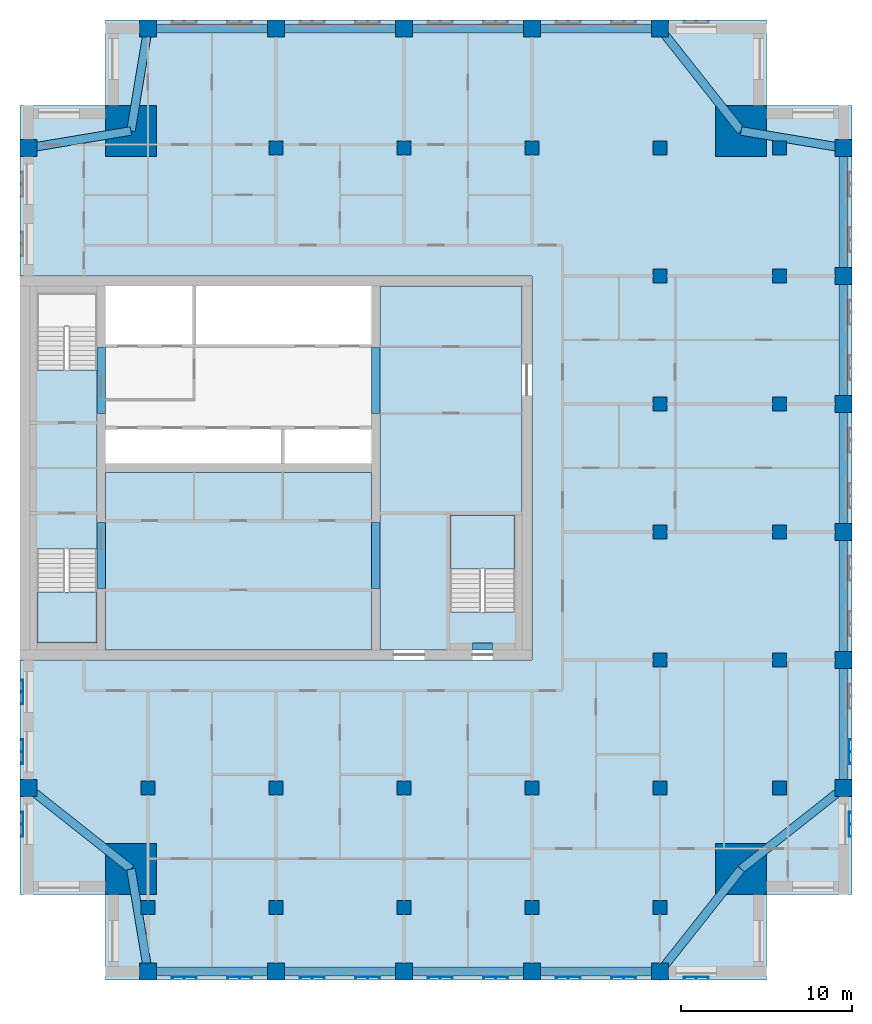
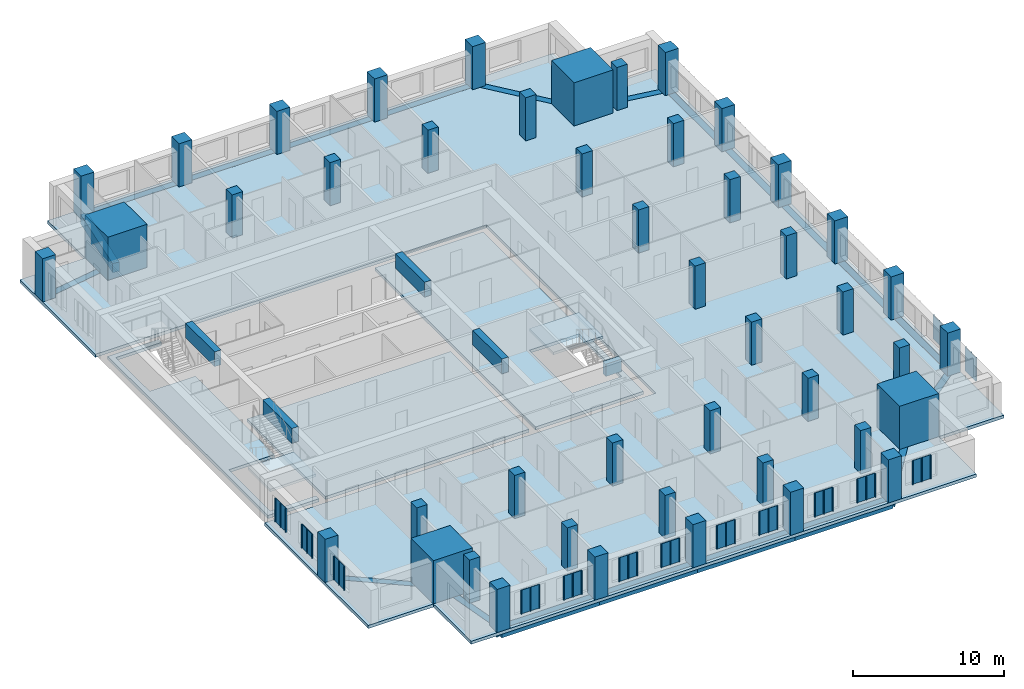
# One storey, part 1 of 11: 46 columns, 26 beams, 14 plates, 6 slabs, 2 elements without a shape of their own.
"""IFC4 building model written with IfcOpenShell, lengths in metres."""

from ifc_helpers import new_model, si_unit, direction, frame, origin, origin_2d, place, context, subcontext, project, spatial, polyline, rectangle, outline, extrude, material, layer, layer_set, material_profile, profile_set, type_object, element, aggregate, save


model = new_model("IFC4")

# Units and contexts
model_context = context("Model", 3, precision=1e-05, world=origin(), true_north=direction((0.0, 1.0)))
body_context = subcontext(model_context, "Body", "Model", "MODEL_VIEW")
ifc_project = project(units=[si_unit("LENGTHUNIT", "METRE"), si_unit("AREAUNIT", "SQUARE_METRE"), si_unit("VOLUMEUNIT", "CUBIC_METRE"), si_unit("PLANEANGLEUNIT", "RADIAN"), si_unit("MASSUNIT", "GRAM", prefix="KILO")], contexts=[model_context])

# Site, building, storey
site_placement = place(None, origin())
site = spatial("IfcSite", under=ifc_project, at=site_placement, CompositionType="ELEMENT")
building_placement = place(site_placement, origin())
building = spatial("IfcBuilding", under=site, at=building_placement, Name="Tamorin Gate", CompositionType="ELEMENT")
storey_placement = place(building_placement, frame((0.0, 0.0, 226.699951171875)))
storey = spatial("IfcBuildingStorey", under=building, at=storey_placement, Name="L56", CompositionType="ELEMENT", Elevation=226.699951171875)

# Columns
ifc_material_1 = material(Name="Concrete C50/60", Category="concrete")
ifc_material_profile_1 = material_profile(ifc_material_1, rectangle(XDim=1.0, YDim=1.0, at=origin_2d()), Name="RC 1000x1000")
ifc_profile_set_1 = profile_set([ifc_material_profile_1], Name="Concrete C50/60")
column_type_1 = type_object("IfcColumnType", Name="RC column 1000x1000 C50/60", PredefinedType="COLUMN", material=ifc_profile_set_1)
for number, where, z_axis, x_axis, name in (
    (1, (37.5, 41.75, 0.0), (0.0, 0.0, 1.0), (1.0, 0.0, 0.0), "Ring column L56"),
    (2, (45.0, 41.75, 0.0), (0.0, 0.0, 1.0), (1.0, 0.0, 0.0), "Ring column L56"),
    (3, (52.5, 41.75, 0.0), (0.0, 0.0, 1.0), (1.0, 0.0, 0.0), "Ring column L56"),
    (4, (60.0, 41.75, 0.0), (0.0, 0.0, 1.0), (1.0, 0.0, 0.0), "Ring column L56"),
    (5, (67.5, 41.75, 0.0), (0.0, 0.0, 1.0), (1.0, 0.0, 0.0), "Ring column L56"),
    (6, (78.25, 52.5, 0.0), (0.0, 0.0, 1.0), (1.0, 0.0, 0.0), "Ring column L56"),
    (7, (78.25, 60.0, 0.0), (0.0, 0.0, 1.0), (1.0, 0.0, 0.0), "Ring column L56"),
    (8, (78.25, 67.5, 0.0), (0.0, 0.0, 1.0), (1.0, 0.0, 0.0), "Ring column L56"),
    (9, (78.25, 75.0, 0.0), (0.0, 0.0, 1.0), (1.0, 0.0, 0.0), "Ring column L56"),
    (10, (78.25, 82.5, 0.0), (0.0, 0.0, 1.0), (1.0, 0.0, 0.0), "Ring column L56"),
    (11, (78.25, 90.0, 0.0), (0.0, 0.0, 1.0), (1.0, 0.0, 0.0), "Ring column L56"),
    (12, (30.5, 52.5, 0.0), (0.0, 0.0, 1.0), (1.0, 0.0, 0.0), "Ring column L56"),
    (13, (30.5, 90.0, 0.0), (0.0, 0.0, 1.0), (1.0, 0.0, 0.0), "Ring column L56"),
    (14, (37.5, 97.0, 0.0), (0.0, 0.0, 1.0), (1.0, 0.0, 0.0), "Ring column L56"),
    (15, (45.0, 97.0, 0.0), (0.0, 0.0, 1.0), (1.0, 0.0, 0.0), "Ring column L56"),
    (16, (52.5, 97.0, 0.0), (0.0, 0.0, 1.0), (1.0, 0.0, 0.0), "Ring column L56"),
    (17, (60.0, 97.0, 0.0), (0.0, 0.0, 1.0), (1.0, 0.0, 0.0), "Ring column L56"),
    (18, (67.5, 97.0, 0.0), (0.0, 0.0, 1.0), (1.0, 0.0, 0.0), "Ring column L56"),
):
    element("IfcColumn", number, at=place(storey_placement, frame(where, z_axis=z_axis, x_axis=x_axis)), inside=storey, type_object=column_type_1, Name=name, PredefinedType="COLUMN", context=body_context, shape_type="SweptSolid", body=[
        extrude(rectangle(XDim=1.0, YDim=1.0, at=origin_2d()), origin(), (0.0, 0.0, 1.0), 3.5),
    ])
ifc_material_profile_2 = material_profile(ifc_material_1, rectangle(XDim=3.0, YDim=3.0, at=origin_2d()), Name="RC 3000x3000")
ifc_profile_set_2 = profile_set([ifc_material_profile_2], Name="Concrete C50/60")
column_type_2 = type_object("IfcColumnType", Name="RC column 3000x3000 C50/60", PredefinedType="COLUMN", material=ifc_profile_set_2)
for number, where, z_axis, x_axis, name in (
    (19, (36.5, 47.75, 0.0), (0.0, 0.0, 1.0), (1.0, 0.0, 0.0), "Mega column SW L56"),
    (20, (72.25, 47.75, 0.0), (0.0, 0.0, 1.0), (1.0, 0.0, 0.0), "Mega column SE L56"),
    (21, (36.5, 91.0, 0.0), (0.0, 0.0, 1.0), (1.0, 0.0, 0.0), "Mega column NW L56"),
    (22, (72.25, 91.0, 0.0), (0.0, 0.0, 1.0), (1.0, 0.0, 0.0), "Mega column NE L56"),
):
    element("IfcColumn", number, at=place(storey_placement, frame(where, z_axis=z_axis, x_axis=x_axis)), inside=storey, type_object=column_type_2, Name=name, PredefinedType="COLUMN", context=body_context, shape_type="SweptSolid", body=[
        extrude(rectangle(XDim=3.0, YDim=3.0, at=origin_2d()), origin(), (0.0, 0.0, 1.0), 3.5),
    ])
ifc_material_profile_3 = material_profile(ifc_material_1, rectangle(XDim=0.800048828125, YDim=0.800048828125, at=origin_2d()), Name="RC 800x800")
ifc_profile_set_3 = profile_set([ifc_material_profile_3], Name="Concrete C50/60")
column_type_3 = type_object("IfcColumnType", Name="RC column 800x800 C50/60", PredefinedType="COLUMN", material=ifc_profile_set_3)
for number, where, z_axis, x_axis, name in (
    (23, (37.5, 45.5, 0.0), (0.0, 0.0, 1.0), (1.0, 0.0, 0.0), "Interior column L56"),
    (24, (37.5, 52.5, 0.0), (0.0, 0.0, 1.0), (1.0, 0.0, 0.0), "Interior column L56"),
    (25, (45.0, 45.5, 0.0), (0.0, 0.0, 1.0), (1.0, 0.0, 0.0), "Interior column L56"),
    (26, (45.0, 52.5, 0.0), (0.0, 0.0, 1.0), (1.0, 0.0, 0.0), "Interior column L56"),
    (27, (45.0, 90.0, 0.0), (0.0, 0.0, 1.0), (1.0, 0.0, 0.0), "Interior column L56"),
    (28, (52.5, 45.5, 0.0), (0.0, 0.0, 1.0), (1.0, 0.0, 0.0), "Interior column L56"),
    (29, (52.5, 52.5, 0.0), (0.0, 0.0, 1.0), (1.0, 0.0, 0.0), "Interior column L56"),
    (30, (52.5, 90.0, 0.0), (0.0, 0.0, 1.0), (1.0, 0.0, 0.0), "Interior column L56"),
    (31, (60.0, 45.5, 0.0), (0.0, 0.0, 1.0), (1.0, 0.0, 0.0), "Interior column L56"),
    (32, (60.0, 52.5, 0.0), (0.0, 0.0, 1.0), (1.0, 0.0, 0.0), "Interior column L56"),
    (33, (60.0, 90.0, 0.0), (0.0, 0.0, 1.0), (1.0, 0.0, 0.0), "Interior column L56"),
    (34, (67.5, 45.5, 0.0), (0.0, 0.0, 1.0), (1.0, 0.0, 0.0), "Interior column L56"),
    (35, (67.5, 52.5, 0.0), (0.0, 0.0, 1.0), (1.0, 0.0, 0.0), "Interior column L56"),
    (36, (67.5, 60.0, 0.0), (0.0, 0.0, 1.0), (1.0, 0.0, 0.0), "Interior column L56"),
    (37, (67.5, 67.5, 0.0), (0.0, 0.0, 1.0), (1.0, 0.0, 0.0), "Interior column L56"),
    (38, (67.5, 75.0, 0.0), (0.0, 0.0, 1.0), (1.0, 0.0, 0.0), "Interior column L56"),
    (39, (67.5, 82.5, 0.0), (0.0, 0.0, 1.0), (1.0, 0.0, 0.0), "Interior column L56"),
    (40, (67.5, 90.0, 0.0), (0.0, 0.0, 1.0), (1.0, 0.0, 0.0), "Interior column L56"),
    (41, (74.5, 52.5, 0.0), (0.0, 0.0, 1.0), (1.0, 0.0, 0.0), "Interior column L56"),
    (42, (74.5, 60.0, 0.0), (0.0, 0.0, 1.0), (1.0, 0.0, 0.0), "Interior column L56"),
    (43, (74.5, 67.5, 0.0), (0.0, 0.0, 1.0), (1.0, 0.0, 0.0), "Interior column L56"),
    (44, (74.5, 75.0, 0.0), (0.0, 0.0, 1.0), (1.0, 0.0, 0.0), "Interior column L56"),
    (45, (74.5, 82.5, 0.0), (0.0, 0.0, 1.0), (1.0, 0.0, 0.0), "Interior column L56"),
    (46, (74.5, 90.0, 0.0), (0.0, 0.0, 1.0), (1.0, 0.0, 0.0), "Interior column L56"),
):
    element("IfcColumn", number, at=place(storey_placement, frame(where, z_axis=z_axis, x_axis=x_axis)), inside=storey, type_object=column_type_3, Name=name, PredefinedType="COLUMN", context=body_context, shape_type="SweptSolid", body=[
        extrude(rectangle(XDim=0.800048828125, YDim=0.800048828125, at=origin_2d()), origin(), (0.0, 0.0, 1.0), 3.5),
    ])

# Beams
ifc_material_profile_4 = material_profile(ifc_material_1, rectangle(XDim=0.5, YDim=1.199951171875, at=origin_2d()), Name="RC 500x1200")
ifc_profile_set_4 = profile_set([ifc_material_profile_4], Name="Concrete C50/60")
beam_type_1 = type_object("IfcBeamType", Name="RC coupling beam 500x1200 C50/60", PredefinedType="BEAM", material=ifc_profile_set_4)
for number, where, z_axis, x_axis, name in (
    (47, (34.75, 64.199951171875, 2.900146484375), (0.0, 1.0, 0.0), (-1.0, 0.0, 0.0), "Coupling beam L56"),
    (48, (34.75, 74.449951171875, 2.900146484375), (0.0, 1.0, 0.0), (-1.0, 0.0, 0.0), "Coupling beam L56"),
    (49, (50.85009765625, 64.199951171875, 2.900146484375), (0.0, 1.0, 0.0), (-1.0, 0.0, 0.0), "Coupling beam L56"),
    (50, (50.85009765625, 74.449951171875, 2.900146484375), (0.0, 1.0, 0.0), (-1.0, 0.0, 0.0), "Coupling beam L56"),
):
    element("IfcBeam", number, at=place(storey_placement, frame(where, z_axis=z_axis, x_axis=x_axis)), inside=storey, type_object=beam_type_1, Name=name, PredefinedType="BEAM", context=body_context, shape_type="SweptSolid", body=[
        extrude(rectangle(XDim=0.5, YDim=1.199951171875, at=origin_2d()), origin(), (0.0, 0.0, 1.0), 3.85009765625),
    ])
ifc_material_profile_5 = material_profile(ifc_material_1, rectangle(XDim=0.5, YDim=0.75, at=origin_2d()), Name="RC 500x750")
ifc_profile_set_5 = profile_set([ifc_material_profile_5], Name="Concrete C50/60")
beam_type_2 = type_object("IfcBeamType", Name="RC spandrel 500x750 C50/60", PredefinedType="BEAM", material=ifc_profile_set_5)
for number, where, z_axis, x_axis, name in (
    (51, (37.5, 41.75, -0.375), (1.0, 0.0, 0.0), (0.0, 1.0, 0.0), "Spandrel beam L56"),
    (52, (45.0, 41.75, -0.375), (1.0, 0.0, 0.0), (0.0, 1.0, 0.0), "Spandrel beam L56"),
    (53, (52.5, 41.75, -0.375), (1.0, 0.0, 0.0), (0.0, 1.0, 0.0), "Spandrel beam L56"),
    (54, (60.0, 41.75, -0.375), (1.0, 0.0, 0.0), (0.0, 1.0, 0.0), "Spandrel beam L56"),
    (55, (78.25, 52.5, -0.375), (0.0, 1.0, 0.0), (-1.0, 0.0, 0.0), "Spandrel beam L56"),
    (56, (78.25, 60.0, -0.375), (0.0, 1.0, 0.0), (-1.0, 0.0, 0.0), "Spandrel beam L56"),
    (57, (78.25, 67.5, -0.375), (0.0, 1.0, 0.0), (-1.0, 0.0, 0.0), "Spandrel beam L56"),
    (58, (78.25, 75.0, -0.375), (0.0, 1.0, 0.0), (-1.0, 0.0, 0.0), "Spandrel beam L56"),
    (59, (78.25, 82.5, -0.375), (0.0, 1.0, 0.0), (-1.0, 0.0, 0.0), "Spandrel beam L56"),
    (60, (67.5, 97.0, -0.375), (-1.0, 0.0, 0.0), (0.0, -1.0, 0.0), "Spandrel beam L56"),
    (61, (60.0, 97.0, -0.375), (-1.0, 0.0, 0.0), (0.0, -1.0, 0.0), "Spandrel beam L56"),
    (62, (52.5, 97.0, -0.375), (-1.0, 0.0, 0.0), (0.0, -1.0, 0.0), "Spandrel beam L56"),
    (63, (45.0, 97.0, -0.375), (-1.0, 0.0, 0.0), (0.0, -1.0, 0.0), "Spandrel beam L56"),
):
    element("IfcBeam", number, at=place(storey_placement, frame(where, z_axis=z_axis, x_axis=x_axis)), inside=storey, type_object=beam_type_2, Name=name, PredefinedType="BEAM", context=body_context, shape_type="SweptSolid", body=[
        extrude(rectangle(XDim=0.5, YDim=0.75, at=origin_2d()), origin(), (0.0, 0.0, 1.0), 7.5),
    ])
beam_1_placement = place(storey_placement, frame((36.5, 47.75, -0.375), z_axis=(0.164398987305, -0.986393923832, 0.0), x_axis=(0.986393923832, 0.164398987305, 0.0)))
element("IfcBeam", 64, at=beam_1_placement, inside=storey, type_object=beam_type_2, Name="Corner tie beam L56", PredefinedType="BEAM", context=body_context, shape_type="SweptSolid", body=[
    extrude(rectangle(XDim=0.5, YDim=0.75, at=origin_2d()), origin(), (0.0, 0.0, 1.0), 6.082763671875),
])
for number, where, z_axis, x_axis, name in (
    (65, (36.5, 47.75, -0.375), (-0.784045824462, 0.620702944366, 0.0), (-0.620702944366, -0.784045824462, 0.0), "Corner tie beam L56"),
    (66, (72.25, 47.75, -0.375), (-0.620702944366, -0.784045824462, 0.0), (0.784045824462, -0.620702944366, 0.0), "Corner tie beam L56"),
    (67, (72.25, 47.75, -0.375), (0.784045824462, 0.620702944366, 0.0), (-0.620702944366, 0.784045824462, 0.0), "Corner tie beam L56"),
):
    element("IfcBeam", number, at=place(storey_placement, frame(where, z_axis=z_axis, x_axis=x_axis)), inside=storey, type_object=beam_type_2, Name=name, PredefinedType="BEAM", context=body_context, shape_type="SweptSolid", body=[
        extrude(rectangle(XDim=0.5, YDim=0.75, at=origin_2d()), origin(), (0.0, 0.0, 1.0), 7.652587890625),
    ])
for number, where, z_axis, x_axis, name in (
    (68, (36.5, 91.0, -0.375), (-0.986393923832, -0.164398987305, 0.0), (0.164398987305, -0.986393923832, 0.0), "Corner tie beam L56"),
    (69, (36.5, 91.0, -0.375), (0.164398987305, 0.986393923832, 0.0), (-0.986393923832, 0.164398987305, 0.0), "Corner tie beam L56"),
    (70, (72.25, 91.0, -0.375), (0.986393923832, -0.164398987305, 0.0), (0.164398987305, 0.986393923832, 0.0), "Corner tie beam L56"),
):
    element("IfcBeam", number, at=place(storey_placement, frame(where, z_axis=z_axis, x_axis=x_axis)), inside=storey, type_object=beam_type_2, Name=name, PredefinedType="BEAM", context=body_context, shape_type="SweptSolid", body=[
        extrude(rectangle(XDim=0.5, YDim=0.75, at=origin_2d()), origin(), (0.0, 0.0, 1.0), 6.082763671875),
    ])
beam_2_placement = place(storey_placement, frame((72.25, 91.0, -0.375), z_axis=(-0.620702944366, 0.784045824462, 0.0), x_axis=(-0.784045824462, -0.620702944366, 0.0)))
element("IfcBeam", 71, at=beam_2_placement, inside=storey, type_object=beam_type_2, Name="Corner tie beam L56", PredefinedType="BEAM", context=body_context, shape_type="SweptSolid", body=[
    extrude(rectangle(XDim=0.5, YDim=0.75, at=origin_2d()), origin(), (0.0, 0.0, 1.0), 7.652587890625),
])
ifc_material_profile_6 = material_profile(ifc_material_1, rectangle(XDim=0.39990234375, YDim=1.0, at=origin_2d()))
ifc_profile_set_6 = profile_set([ifc_material_profile_6], Name="Concrete C50/60")
beam_type_3 = type_object("IfcBeamType", Name="Stair lintel 400x1000 C50/60", PredefinedType="BEAM", material=ifc_profile_set_6)
beam_3_placement = place(storey_placement, frame((56.5, 60.800048828125, 2.699951171875), z_axis=(1.0, 0.0, 0.0), x_axis=(0.0, 1.0, 0.0)))
element("IfcBeam", 72, at=beam_3_placement, inside=storey, type_object=beam_type_3, Name="Stair lintel", PredefinedType="BEAM", context=body_context, shape_type="SweptSolid", body=[
    extrude(rectangle(XDim=0.39990234375, YDim=1.0, at=origin_2d()), origin(), (0.0, 0.0, 1.0), 1.199951171875),
])

# Slabs
ifc_material_2 = material(Name="Concrete C40/50", Category="concrete")
ifc_layer_1 = layer(ifc_material_2, 0.25)
ifc_layer_set_1 = layer_set([ifc_layer_1], Name="Core floor slab 250 C40/50")
slab_type_1 = type_object("IfcSlabType", Name="Core floor slab 250 C40/50", PredefinedType="FLOOR", material=ifc_layer_set_1)
slab_1_placement = place(storey_placement, frame((0.0, 0.0, -0.25)))
element("IfcSlab", 73, at=slab_1_placement, inside=storey, type_object=slab_type_1, Name="Core floor L56", PredefinedType="FLOOR", context=body_context, shape_type="SweptSolid", body=[
    extrude(outline(polyline([(51.10009765625, 81.89990234375), (59.39990234375, 81.89990234375), (59.39990234375, 60.60009765625), (51.10009765625, 60.60009765625), (51.10009765625, 81.89990234375)]), holes=[polyline([(55.199951171875, 62.800048828125), (59.0, 62.800048828125), (59.0, 68.5), (55.199951171875, 68.5), (55.199951171875, 62.800048828125)])]), origin(), (0.0, 0.0, 1.0), 0.25),
])
slab_2_placement = place(storey_placement, frame((0.0, 0.0, -0.25)))
element("IfcSlab", 74, at=slab_2_placement, inside=storey, type_object=slab_type_1, Name="Core floor L56", PredefinedType="FLOOR", context=body_context, shape_type="SweptSolid", body=[
    extrude(outline(polyline([(50.60009765625, 71.0), (50.60009765625, 60.60009765625), (35.0, 60.60009765625), (35.0, 71.0), (50.60009765625, 71.0)])), origin(), (0.0, 0.0, 1.0), 0.25),
])
slab_3_placement = place(storey_placement, frame((0.0, 0.0, -0.25)))
element("IfcSlab", 75, at=slab_3_placement, inside=storey, type_object=slab_type_1, Name="Core floor L56", PredefinedType="FLOOR", context=body_context, shape_type="SweptSolid", body=[
    extrude(outline(polyline([(34.5, 60.60009765625), (30.60009765625, 60.60009765625), (30.60009765625, 81.89990234375), (34.5, 81.89990234375), (34.5, 81.5), (31.0, 81.5), (31.0, 77.0), (34.5, 77.0), (34.5, 66.5), (31.0, 66.5), (31.0, 61.0), (34.5, 61.0), (34.5, 60.60009765625)])), origin(), (0.0, 0.0, 1.0), 0.25),
])

# Stair, slab
stair_type = type_object("IfcStairType", Name="Exit stair", PredefinedType="HALF_TURN_STAIR", material=ifc_material_2)
stair_1_placement = place(storey_placement, origin())
stair_1 = element("IfcStair", 76, at=stair_1_placement, inside=storey, type_object=stair_type, Name="L56 stair ST1", PredefinedType="HALF_TURN_STAIR")
ifc_layer_2 = layer(ifc_material_2, 0.199951171875)
ifc_layer_set_2 = layer_set([ifc_layer_2], Name="Exit stair landing 200")
slab_type_2 = type_object("IfcSlabType", Name="Exit stair landing 200", PredefinedType="LANDING", material=ifc_layer_set_2)
slab_4_placement = place(storey_placement, frame((0.0, 0.0, 1.550048828125)))
slab_4 = element("IfcSlab", 77, at=slab_4_placement, type_object=slab_type_2, Name="ST1 landing 1", PredefinedType="LANDING", context=body_context, shape_type="SweptSolid", body=[
    extrude(outline(polyline([(31.0, 63.97998046875), (31.0, 61.0), (34.5, 61.0), (34.5, 63.97998046875), (31.0, 63.97998046875)])), origin(), (0.0, 0.0, 1.0), 0.199951171875),
])
aggregate(stair_1, [slab_4])

stair_2_placement = place(storey_placement, origin())
stair_2 = element("IfcStair", 78, at=stair_2_placement, inside=storey, type_object=stair_type, Name="L56 stair ST3", PredefinedType="HALF_TURN_STAIR")
slab_5_placement = place(storey_placement, frame((0.0, 0.0, 1.550048828125)))
slab_5 = element("IfcSlab", 79, at=slab_5_placement, type_object=slab_type_2, Name="ST3 landing 1", PredefinedType="LANDING", context=body_context, shape_type="SweptSolid", body=[
    extrude(outline(polyline([(59.0, 65.320068359375), (59.0, 68.5), (55.199951171875, 68.5), (55.199951171875, 65.320068359375), (59.0, 65.320068359375)])), origin(), (0.0, 0.0, 1.0), 0.199951171875),
])
aggregate(stair_2, [slab_5])

# Slab
ifc_layer_3 = layer(ifc_material_2, 0.25)
ifc_layer_set_3 = layer_set([ifc_layer_3], Name="Floor slab 250 C40/50")
slab_type_3 = type_object("IfcSlabType", Name="Floor slab 250 C40/50", PredefinedType="FLOOR", material=ifc_layer_set_3)
slab_6_placement = place(storey_placement, frame((0.0, 0.0, -0.25)))
element("IfcSlab", 80, at=slab_6_placement, inside=storey, type_object=slab_type_3, Name="Floor L56", PredefinedType="FLOOR", context=body_context, shape_type="SweptSolid", body=[
    extrude(outline(polyline([(30.0, 92.5), (35.0, 92.5), (35.0, 97.5), (73.75, 97.5), (73.75, 92.5), (78.75, 92.5), (78.75, 46.25), (73.75, 46.25), (73.75, 41.25), (35.0, 41.25), (35.0, 46.25), (30.0, 46.25), (30.0, 60.0), (60.0, 60.0), (60.0, 82.5), (30.0, 82.5), (30.0, 92.5)])), origin(), (0.0, 0.0, 1.0), 0.25),
])

# Plates
ifc_material_3 = material(Name="Perforated pale aluminium sheet", Category="aluminium")
ifc_layer_4 = layer(ifc_material_3, 0.0400390625)
ifc_layer_set_4 = layer_set([ifc_layer_4], Name="Pale metal solar screen 1440")
plate_type = type_object("IfcPlateType", Name="Pale metal solar screen 1440", PredefinedType="SHEET", material=ifc_layer_set_4)
plate_1_placement = place(storey_placement, frame((0.0, 0.0, 0.737548828125)))
element("IfcPlate", 81, at=plate_1_placement, inside=storey, type_object=plate_type, Name="Perforated solar screen", PredefinedType="SHEET", context=body_context, shape_type="SweptSolid", body=[
    extrude(outline(polyline([(38.905029296875, 41.409912109375), (38.905029296875, 41.449951171875), (38.965087890625, 41.449951171875), (39.594970703125, 41.449951171875), (39.655029296875, 41.449951171875), (40.284912109375, 41.449951171875), (40.344970703125, 41.449951171875), (40.344970703125, 41.449951171875), (40.344970703125, 41.409912109375), (40.344970703125, 41.409912109375), (40.344970703125, 41.35009765625), (40.284912109375, 41.35009765625), (40.284912109375, 41.409912109375), (39.655029296875, 41.409912109375), (39.655029296875, 41.35009765625), (39.594970703125, 41.35009765625), (39.594970703125, 41.409912109375), (38.965087890625, 41.409912109375), (38.965087890625, 41.35009765625), (38.905029296875, 41.35009765625), (38.905029296875, 41.409912109375)])), origin(), (0.0, 0.0, 1.0), 1.925048828125),
])
plate_2_placement = place(storey_placement, frame((0.0, 0.0, 0.737548828125)))
element("IfcPlate", 82, at=plate_2_placement, inside=storey, type_object=plate_type, Name="Perforated solar screen", PredefinedType="SHEET", context=body_context, shape_type="SweptSolid", body=[
    extrude(outline(polyline([(42.155029296875, 41.409912109375), (42.155029296875, 41.449951171875), (42.215087890625, 41.449951171875), (42.844970703125, 41.449951171875), (42.905029296875, 41.449951171875), (43.534912109375, 41.449951171875), (43.594970703125, 41.449951171875), (43.594970703125, 41.409912109375), (43.594970703125, 41.35009765625), (43.534912109375, 41.35009765625), (43.534912109375, 41.409912109375), (42.905029296875, 41.409912109375), (42.905029296875, 41.35009765625), (42.844970703125, 41.35009765625), (42.844970703125, 41.409912109375), (42.215087890625, 41.409912109375), (42.215087890625, 41.35009765625), (42.155029296875, 41.35009765625), (42.155029296875, 41.409912109375)])), origin(), (0.0, 0.0, 1.0), 1.925048828125),
])
plate_3_placement = place(storey_placement, frame((0.0, 0.0, 0.737548828125)))
element("IfcPlate", 83, at=plate_3_placement, inside=storey, type_object=plate_type, Name="Perforated solar screen", PredefinedType="SHEET", context=body_context, shape_type="SweptSolid", body=[
    extrude(outline(polyline([(46.405029296875, 41.409912109375), (46.405029296875, 41.449951171875), (46.465087890625, 41.449951171875), (47.094970703125, 41.449951171875), (47.155029296875, 41.449951171875), (47.784912109375, 41.449951171875), (47.844970703125, 41.449951171875), (47.844970703125, 41.409912109375), (47.844970703125, 41.35009765625), (47.784912109375, 41.35009765625), (47.784912109375, 41.409912109375), (47.155029296875, 41.409912109375), (47.155029296875, 41.35009765625), (47.094970703125, 41.35009765625), (47.094970703125, 41.409912109375), (46.465087890625, 41.409912109375), (46.465087890625, 41.35009765625), (46.405029296875, 41.35009765625), (46.405029296875, 41.409912109375)])), origin(), (0.0, 0.0, 1.0), 1.925048828125),
])
plate_4_placement = place(storey_placement, frame((0.0, 0.0, 0.737548828125)))
element("IfcPlate", 84, at=plate_4_placement, inside=storey, type_object=plate_type, Name="Perforated solar screen", PredefinedType="SHEET", context=body_context, shape_type="SweptSolid", body=[
    extrude(outline(polyline([(49.655029296875, 41.409912109375), (49.655029296875, 41.449951171875), (49.715087890625, 41.449951171875), (50.344970703125, 41.449951171875), (50.405029296875, 41.449951171875), (51.034912109375, 41.449951171875), (51.094970703125, 41.449951171875), (51.094970703125, 41.409912109375), (51.094970703125, 41.35009765625), (51.034912109375, 41.35009765625), (51.034912109375, 41.409912109375), (50.405029296875, 41.409912109375), (50.405029296875, 41.35009765625), (50.344970703125, 41.35009765625), (50.344970703125, 41.409912109375), (49.715087890625, 41.409912109375), (49.715087890625, 41.35009765625), (49.655029296875, 41.35009765625), (49.655029296875, 41.409912109375)])), origin(), (0.0, 0.0, 1.0), 1.925048828125),
])
plate_5_placement = place(storey_placement, frame((0.0, 0.0, 0.737548828125)))
element("IfcPlate", 85, at=plate_5_placement, inside=storey, type_object=plate_type, Name="Perforated solar screen", PredefinedType="SHEET", context=body_context, shape_type="SweptSolid", body=[
    extrude(outline(polyline([(53.905029296875, 41.409912109375), (53.905029296875, 41.449951171875), (53.965087890625, 41.449951171875), (54.594970703125, 41.449951171875), (54.655029296875, 41.449951171875), (55.284912109375, 41.449951171875), (55.344970703125, 41.449951171875), (55.344970703125, 41.409912109375), (55.344970703125, 41.35009765625), (55.284912109375, 41.35009765625), (55.284912109375, 41.409912109375), (54.655029296875, 41.409912109375), (54.655029296875, 41.35009765625), (54.594970703125, 41.35009765625), (54.594970703125, 41.409912109375), (53.965087890625, 41.409912109375), (53.965087890625, 41.35009765625), (53.905029296875, 41.35009765625), (53.905029296875, 41.409912109375)])), origin(), (0.0, 0.0, 1.0), 1.925048828125),
])
plate_6_placement = place(storey_placement, frame((0.0, 0.0, 0.737548828125)))
element("IfcPlate", 86, at=plate_6_placement, inside=storey, type_object=plate_type, Name="Perforated solar screen", PredefinedType="SHEET", context=body_context, shape_type="SweptSolid", body=[
    extrude(outline(polyline([(57.155029296875, 41.409912109375), (57.155029296875, 41.449951171875), (57.215087890625, 41.449951171875), (57.844970703125, 41.449951171875), (57.905029296875, 41.449951171875), (58.534912109375, 41.449951171875), (58.594970703125, 41.449951171875), (58.594970703125, 41.409912109375), (58.594970703125, 41.35009765625), (58.534912109375, 41.35009765625), (58.534912109375, 41.409912109375), (57.905029296875, 41.409912109375), (57.905029296875, 41.35009765625), (57.844970703125, 41.35009765625), (57.844970703125, 41.409912109375), (57.215087890625, 41.409912109375), (57.215087890625, 41.35009765625), (57.155029296875, 41.35009765625), (57.155029296875, 41.409912109375)])), origin(), (0.0, 0.0, 1.0), 1.925048828125),
])
plate_7_placement = place(storey_placement, frame((0.0, 0.0, 0.737548828125)))
element("IfcPlate", 87, at=plate_7_placement, inside=storey, type_object=plate_type, Name="Perforated solar screen", PredefinedType="SHEET", context=body_context, shape_type="SweptSolid", body=[
    extrude(outline(polyline([(61.405029296875, 41.409912109375), (61.405029296875, 41.449951171875), (61.465087890625, 41.449951171875), (62.094970703125, 41.449951171875), (62.155029296875, 41.449951171875), (62.784912109375, 41.449951171875), (62.844970703125, 41.449951171875), (62.844970703125, 41.409912109375), (62.844970703125, 41.35009765625), (62.784912109375, 41.35009765625), (62.784912109375, 41.409912109375), (62.155029296875, 41.409912109375), (62.155029296875, 41.35009765625), (62.094970703125, 41.35009765625), (62.094970703125, 41.409912109375), (61.465087890625, 41.409912109375), (61.465087890625, 41.35009765625), (61.405029296875, 41.35009765625), (61.405029296875, 41.409912109375)])), origin(), (0.0, 0.0, 1.0), 1.925048828125),
])
plate_8_placement = place(storey_placement, frame((0.0, 0.0, 0.737548828125)))
element("IfcPlate", 88, at=plate_8_placement, inside=storey, type_object=plate_type, Name="Perforated solar screen", PredefinedType="SHEET", context=body_context, shape_type="SweptSolid", body=[
    extrude(outline(polyline([(64.655029296875, 41.409912109375), (64.655029296875, 41.449951171875), (64.715087890625, 41.449951171875), (65.344970703125, 41.449951171875), (65.405029296875, 41.449951171875), (66.034912109375, 41.449951171875), (66.094970703125, 41.449951171875), (66.094970703125, 41.409912109375), (66.094970703125, 41.35009765625), (66.034912109375, 41.35009765625), (66.034912109375, 41.409912109375), (65.405029296875, 41.409912109375), (65.405029296875, 41.35009765625), (65.344970703125, 41.35009765625), (65.344970703125, 41.409912109375), (64.715087890625, 41.409912109375), (64.715087890625, 41.35009765625), (64.655029296875, 41.35009765625), (64.655029296875, 41.409912109375)])), origin(), (0.0, 0.0, 1.0), 1.925048828125),
])
plate_9_placement = place(storey_placement, frame((0.0, 0.0, 0.737548828125)))
element("IfcPlate", 89, at=plate_9_placement, inside=storey, type_object=plate_type, Name="Perforated solar screen", PredefinedType="SHEET", context=body_context, shape_type="SweptSolid", body=[
    extrude(outline(polyline([(68.905029296875, 41.409912109375), (68.905029296875, 41.449951171875), (68.965087890625, 41.449951171875), (69.594970703125, 41.449951171875), (69.655029296875, 41.449951171875), (70.284912109375, 41.449951171875), (70.344970703125, 41.449951171875), (70.344970703125, 41.409912109375), (70.344970703125, 41.35009765625), (70.284912109375, 41.35009765625), (70.284912109375, 41.409912109375), (69.655029296875, 41.409912109375), (69.655029296875, 41.35009765625), (69.594970703125, 41.35009765625), (69.594970703125, 41.409912109375), (68.965087890625, 41.409912109375), (68.965087890625, 41.35009765625), (68.905029296875, 41.35009765625), (68.905029296875, 41.409912109375)])), origin(), (0.0, 0.0, 1.0), 1.925048828125),
])
plate_10_placement = place(storey_placement, frame((0.0, 0.0, 0.737548828125)))
element("IfcPlate", 90, at=plate_10_placement, inside=storey, type_object=plate_type, Name="Perforated solar screen", PredefinedType="SHEET", context=body_context, shape_type="SweptSolid", body=[
    extrude(outline(polyline([(78.590087890625, 49.655029296875), (78.550048828125, 49.655029296875), (78.550048828125, 49.715087890625), (78.550048828125, 50.344970703125), (78.550048828125, 50.405029296875), (78.550048828125, 51.034912109375), (78.550048828125, 51.094970703125), (78.550048828125, 51.094970703125), (78.590087890625, 51.094970703125), (78.590087890625, 51.094970703125), (78.64990234375, 51.094970703125), (78.64990234375, 51.034912109375), (78.590087890625, 51.034912109375), (78.590087890625, 50.405029296875), (78.64990234375, 50.405029296875), (78.64990234375, 50.344970703125), (78.590087890625, 50.344970703125), (78.590087890625, 49.715087890625), (78.64990234375, 49.715087890625), (78.64990234375, 49.655029296875), (78.590087890625, 49.655029296875)])), origin(), (0.0, 0.0, 1.0), 1.925048828125),
])
plate_11_placement = place(storey_placement, frame((0.0, 0.0, 0.737548828125)))
element("IfcPlate", 91, at=plate_11_placement, inside=storey, type_object=plate_type, Name="Perforated solar screen", PredefinedType="SHEET", context=body_context, shape_type="SweptSolid", body=[
    extrude(outline(polyline([(78.590087890625, 53.905029296875), (78.550048828125, 53.905029296875), (78.550048828125, 53.965087890625), (78.550048828125, 54.594970703125), (78.550048828125, 54.655029296875), (78.550048828125, 55.284912109375), (78.550048828125, 55.344970703125), (78.590087890625, 55.344970703125), (78.64990234375, 55.344970703125), (78.64990234375, 55.284912109375), (78.590087890625, 55.284912109375), (78.590087890625, 54.655029296875), (78.64990234375, 54.655029296875), (78.64990234375, 54.594970703125), (78.590087890625, 54.594970703125), (78.590087890625, 53.965087890625), (78.64990234375, 53.965087890625), (78.64990234375, 53.905029296875), (78.590087890625, 53.905029296875)])), origin(), (0.0, 0.0, 1.0), 1.925048828125),
])
plate_12_placement = place(storey_placement, frame((0.0, 0.0, 0.737548828125)))
element("IfcPlate", 92, at=plate_12_placement, inside=storey, type_object=plate_type, Name="Perforated solar screen", PredefinedType="SHEET", context=body_context, shape_type="SweptSolid", body=[
    extrude(outline(polyline([(30.159912109375, 55.344970703125), (30.199951171875, 55.344970703125), (30.199951171875, 55.284912109375), (30.199951171875, 54.655029296875), (30.199951171875, 54.594970703125), (30.199951171875, 53.965087890625), (30.199951171875, 53.905029296875), (30.159912109375, 53.905029296875), (30.10009765625, 53.905029296875), (30.10009765625, 53.965087890625), (30.159912109375, 53.965087890625), (30.159912109375, 54.594970703125), (30.10009765625, 54.594970703125), (30.10009765625, 54.655029296875), (30.159912109375, 54.655029296875), (30.159912109375, 55.284912109375), (30.10009765625, 55.284912109375), (30.10009765625, 55.344970703125), (30.159912109375, 55.344970703125)])), origin(), (0.0, 0.0, 1.0), 1.925048828125),
])
plate_13_placement = place(storey_placement, frame((0.0, 0.0, 0.737548828125)))
element("IfcPlate", 93, at=plate_13_placement, inside=storey, type_object=plate_type, Name="Perforated solar screen", PredefinedType="SHEET", context=body_context, shape_type="SweptSolid", body=[
    extrude(outline(polyline([(30.159912109375, 58.844970703125), (30.199951171875, 58.844970703125), (30.199951171875, 58.784912109375), (30.199951171875, 58.155029296875), (30.199951171875, 58.094970703125), (30.199951171875, 57.465087890625), (30.199951171875, 57.405029296875), (30.159912109375, 57.405029296875), (30.10009765625, 57.405029296875), (30.10009765625, 57.465087890625), (30.159912109375, 57.465087890625), (30.159912109375, 58.094970703125), (30.10009765625, 58.094970703125), (30.10009765625, 58.155029296875), (30.159912109375, 58.155029296875), (30.159912109375, 58.784912109375), (30.10009765625, 58.784912109375), (30.10009765625, 58.844970703125), (30.159912109375, 58.844970703125)])), origin(), (0.0, 0.0, 1.0), 1.925048828125),
])
plate_14_placement = place(storey_placement, frame((0.0, 0.0, 0.737548828125)))
element("IfcPlate", 94, at=plate_14_placement, inside=storey, type_object=plate_type, Name="Perforated solar screen", PredefinedType="SHEET", context=body_context, shape_type="SweptSolid", body=[
    extrude(outline(polyline([(30.159912109375, 51.094970703125), (30.199951171875, 51.094970703125), (30.199951171875, 51.034912109375), (30.199951171875, 50.405029296875), (30.199951171875, 50.344970703125), (30.199951171875, 49.715087890625), (30.199951171875, 49.655029296875), (30.159912109375, 49.655029296875), (30.10009765625, 49.655029296875), (30.10009765625, 49.715087890625), (30.159912109375, 49.715087890625), (30.159912109375, 50.344970703125), (30.10009765625, 50.344970703125), (30.10009765625, 50.405029296875), (30.159912109375, 50.405029296875), (30.159912109375, 51.034912109375), (30.10009765625, 51.034912109375), (30.10009765625, 51.094970703125), (30.159912109375, 51.094970703125)])), origin(), (0.0, 0.0, 1.0), 1.925048828125),
])

save(model, "model.ifc")
